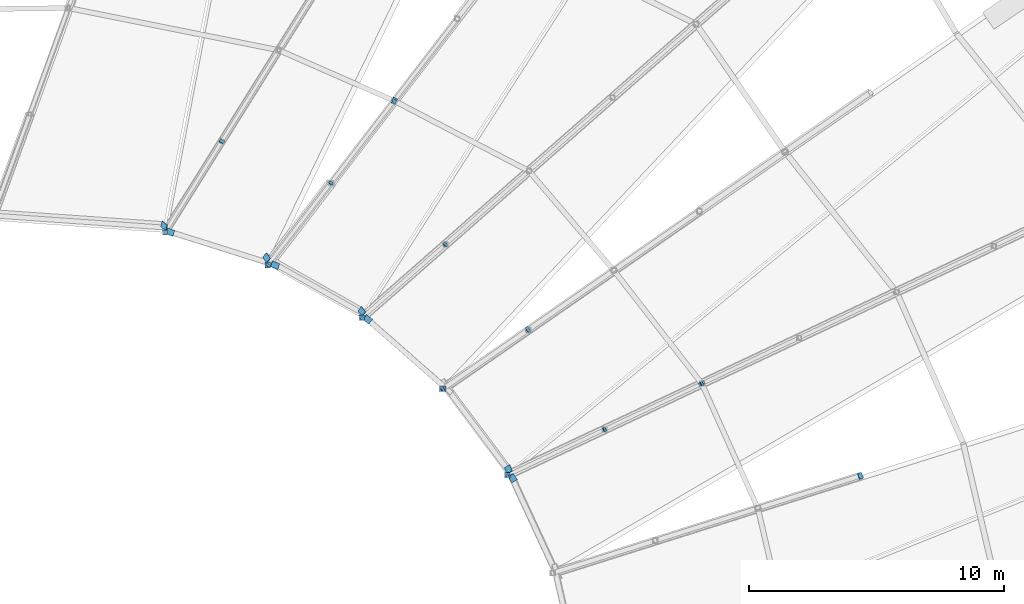
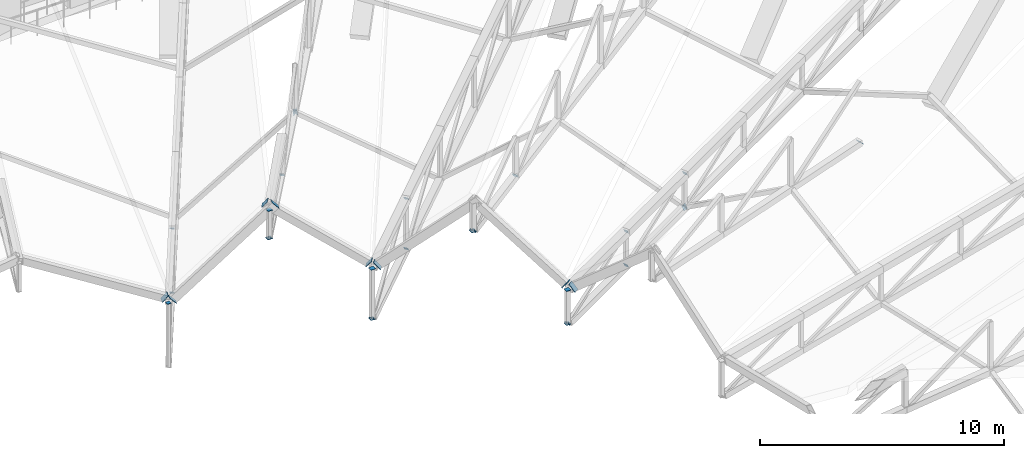
# One storey, part 331 of 344: 35 discrete accessories.
"""IFC4 building model written with IfcOpenShell, lengths in metres."""

from ifc_helpers import new_model, si_unit, direction, frame, origin, origin_2d, place, context, subcontext, project, spatial, rectangle, extrude, material, material_profile, profile_set, type_object, element, save


model = new_model("IFC4")

# Units and contexts
model_context = context("Model", 3, precision=1e-05, world=origin(), true_north=direction((0.0, 1.0)))
body_context = subcontext(model_context, "Body", "Model", "MODEL_VIEW")
ifc_project = project(units=[si_unit("LENGTHUNIT", "METRE"), si_unit("AREAUNIT", "SQUARE_METRE"), si_unit("VOLUMEUNIT", "CUBIC_METRE"), si_unit("PLANEANGLEUNIT", "RADIAN"), si_unit("MASSUNIT", "GRAM", prefix="KILO")], contexts=[model_context])

# Site, building, storey
site_placement = place(None, origin())
site = spatial("IfcSite", under=ifc_project, at=site_placement, CompositionType="ELEMENT")
building_placement = place(site_placement, origin())
building = spatial("IfcBuilding", under=site, at=building_placement, Name="Meseta Stadium", CompositionType="ELEMENT")
storey_placement = place(building_placement, frame((0.0, 0.0, 24.0)))
storey = spatial("IfcBuildingStorey", under=building, at=storey_placement, Name="L04", CompositionType="ELEMENT", Elevation=24.0)

# Discrete accessories
ifc_material_1 = material(Name="Steel S355", Category="steel")
ifc_material_profile_1 = material_profile(ifc_material_1, rectangle(XDim=0.179931640625, YDim=0.179931640625, at=origin_2d()), Name="PL 180x180")
ifc_profile_set_1 = profile_set([ifc_material_profile_1], Name="Steel S355")
discrete_accessory_type_1 = type_object("IfcDiscreteAccessoryType", Name="End plate 180x180x20", PredefinedType="ANCHORPLATE", material=ifc_profile_set_1)
for number, where, z_axis, x_axis, name in (
    (1, (44.092041015625, 55.5732421875, 2.394287109375), (0.802672654344, 0.377012913404, 0.462144861592), (-0.425136471467, 0.905129261834, 0.0), "End plate of ROOF TRUSS RT-11 diagonal"),
    (2, (47.92333984375, 57.378173828125, 4.570068359375), (0.807162077407, 0.379121581812, 0.452499952486), (-0.425136471467, 0.905129261834, 0.0), "End plate of ROOF TRUSS RT-11 diagonal"),
    (3, (47.9072265625, 57.37060546875, 2.881103515625), (0.802672654344, 0.377012913404, 0.462144861592), (-0.425136471467, 0.905129261834, 0.0), "End plate of ROOF TRUSS RT-11 diagonal"),
    (4, (51.738525390625, 59.17529296875, 5.056884765625), (0.807162077407, 0.379121581812, 0.452499952486), (-0.425136471467, 0.905129261834, 0.0), "End plate of ROOF TRUSS RT-11 diagonal"),
    (5, (51.722412109375, 59.167724609375, 3.3681640625), (0.807162077407, 0.379121581812, 0.452499952486), (-0.425136471467, 0.905129261834, 0.0), "End plate of ROOF TRUSS RT-11 diagonal"),
    (6, (38.393798828125, 61.741455078125, 0.895751953125), (0.620936240212, 0.535709697438, 0.572235358627), (-0.653233256547, 0.757156729179, 0.0), "End plate of ROOF TRUSS RT-13 diagonal"),
    (7, (41.68310546875, 64.63232421875, 4.00439453125), (0.613369973061, 0.539765576293, 0.576567774677), (-0.660627894892, 0.750713516923, 0.0), "End plate of ROOF TRUSS RT-13 diagonal"),
    (8, (41.6708984375, 64.62158203125, 1.4990234375), (0.609031921418, 0.535948090848, 0.584670644561), (-0.660627894892, 0.750713516923, 0.0), "End plate of ROOF TRUSS RT-13 diagonal"),
    (9, (34.711669921875, 63.8134765625, 4.968994140625), (0.537305024666, 0.6960542365, 0.4762476355), (-0.791590320973, 0.611052177593, 0.0), "End plate of ROOF TRUSS RT-14 diagonal"),
    (10, (37.1875, 67.033203125, 5.3017578125), (0.500409485234, 0.659075907382, 0.561435032214), (-0.79644631635, 0.604709240191, 0.0), "End plate of ROOF TRUSS RT-14 diagonal"),
):
    element("IfcDiscreteAccessory", number, at=place(storey_placement, frame(where, z_axis=z_axis, x_axis=x_axis)), inside=storey, type_object=discrete_accessory_type_1, Name=name, PredefinedType="ANCHORPLATE", context=body_context, shape_type="SweptSolid", body=[
        extrude(rectangle(XDim=0.179931640625, YDim=0.179931640625, at=origin_2d()), origin(), (0.0, 0.0, 1.0), 0.02001953125),
    ])
discrete_accessory_1_placement = place(storey_placement, frame((39.6630859375, 70.2529296875, 5.634765625), z_axis=(0.472042894851, 0.617286862498, 0.629390526468), x_axis=(-0.794357832977, 0.607450107571, 0.0)))
element("IfcDiscreteAccessory", 11, at=discrete_accessory_1_placement, inside=storey, type_object=discrete_accessory_type_1, Name="End plate of ROOF TRUSS RT-14 diagonal", PredefinedType="ANCHORPLATE", context=body_context, shape_type="SweptSolid", body=[
    extrude(rectangle(XDim=0.179931640625, YDim=0.179931640625, at=origin_2d()), origin(), (0.0, 0.0, 1.0), 0.020263671875),
])
for number, where, z_axis, x_axis, name in (
    (12, (30.68212890625, 65.100341796875, 2.346923828125), (0.0, 0.0, 1.0), (1.0, 0.0, 0.0), "End plate of ROOF TRUSS RT-15 post"),
    (13, (32.91796875, 68.675537109375, 3.125732421875), (0.392114465117, 0.612678851745, 0.686200313954), (-0.842271400662, 0.539053696423, 0.0), "End plate of ROOF TRUSS RT-15 diagonal"),
):
    element("IfcDiscreteAccessory", number, at=place(storey_placement, frame(where, z_axis=z_axis, x_axis=x_axis)), inside=storey, type_object=discrete_accessory_type_1, Name=name, PredefinedType="ANCHORPLATE", context=body_context, shape_type="SweptSolid", body=[
        extrude(rectangle(XDim=0.179931640625, YDim=0.179931640625, at=origin_2d()), origin(), (0.0, 0.0, 1.0), 0.02001953125),
    ])
discrete_accessory_2_placement = place(storey_placement, frame((32.91015625, 68.6630859375, -0.088134765625), z_axis=(0.385962592087, 0.615127881139, 0.687495867155), x_axis=(-0.847063894508, 0.531491071064, 0.0)))
element("IfcDiscreteAccessory", 14, at=discrete_accessory_2_placement, inside=storey, type_object=discrete_accessory_type_1, Name="End plate of ROOF TRUSS RT-15 diagonal", PredefinedType="ANCHORPLATE", context=body_context, shape_type="SweptSolid", body=[
    extrude(rectangle(XDim=0.179931640625, YDim=0.179931640625, at=origin_2d()), origin(), (0.0, 0.0, 1.0), 0.020263671875),
])
ifc_material_2 = material(Name="Steel S355", Category="steel")
ifc_material_profile_2 = material_profile(ifc_material_2, rectangle(XDim=0.219970703125, YDim=0.219970703125, at=origin_2d()), Name="PL 220x220")
ifc_profile_set_2 = profile_set([ifc_material_profile_2], Name="Steel S355")
discrete_accessory_type_2 = type_object("IfcDiscreteAccessoryType", Name="End plate 220x220x20", PredefinedType="ANCHORPLATE", material=ifc_profile_set_2)
for number, where, z_axis, x_axis, name in (
    (15, (44.108154296875, 55.580810546875, 2.383544921875), (0.0, 0.0, 1.0), (1.0, 0.0, 0.0), "End plate of ROOF TRUSS RT-11 post"),
    (16, (44.108154296875, 55.580810546875, 4.0830078125), (0.0, 0.0, 1.0), (1.0, 0.0, 0.0), "End plate of ROOF TRUSS RT-11 post"),
    (17, (41.56494140625, 58.95361328125, 5.8798828125), (0.73165291302, 0.499962823897, 0.463380178246), (-0.564190505026, 0.825644641501, 0.0), "End plate of ROOF TRUSS RT-12 diagonal"),
    (18, (44.9208984375, 61.279052734375, 6.05712890625), (0.685069750249, 0.477102147495, 0.550502477878), (-0.57149375376, 0.820606415655, 0.0), "End plate of ROOF TRUSS RT-12 diagonal"),
):
    element("IfcDiscreteAccessory", number, at=place(storey_placement, frame(where, z_axis=z_axis, x_axis=x_axis)), inside=storey, type_object=discrete_accessory_type_2, Name=name, PredefinedType="ANCHORPLATE", context=body_context, shape_type="SweptSolid", body=[
        extrude(rectangle(XDim=0.219970703125, YDim=0.219970703125, at=origin_2d()), origin(), (0.0, 0.0, 1.0), 0.02001953125),
    ])
discrete_accessory_3_placement = place(storey_placement, frame((38.40625, 61.752197265625, 0.887451171875), z_axis=(0.0, 0.0, 1.0), x_axis=(1.0, 0.0, 0.0)))
element("IfcDiscreteAccessory", 19, at=discrete_accessory_3_placement, inside=storey, type_object=discrete_accessory_type_2, Name="End plate of ROOF TRUSS RT-13 post", PredefinedType="ANCHORPLATE", context=body_context, shape_type="SweptSolid", body=[
    extrude(rectangle(XDim=0.219970703125, YDim=0.219970703125, at=origin_2d()), origin(), (0.0, 0.0, 1.0), 0.019775390625),
])
for number, where, z_axis, x_axis, name in (
    (20, (38.40625, 61.752197265625, 3.40087890625), (0.0, 0.0, 1.0), (1.0, 0.0, 0.0), "End plate of ROOF TRUSS RT-13 post"),
    (21, (34.722412109375, 63.827392578125, 4.95849609375), (0.0, 0.0, 1.0), (1.0, 0.0, 0.0), "End plate of ROOF TRUSS RT-14 post"),
    (22, (34.722412109375, 63.827392578125, 6.37841796875), (0.0, 0.0, 1.0), (1.0, 0.0, 0.0), "End plate of ROOF TRUSS RT-14 post"),
):
    element("IfcDiscreteAccessory", number, at=place(storey_placement, frame(where, z_axis=z_axis, x_axis=x_axis)), inside=storey, type_object=discrete_accessory_type_2, Name=name, PredefinedType="ANCHORPLATE", context=body_context, shape_type="SweptSolid", body=[
        extrude(rectangle(XDim=0.219970703125, YDim=0.219970703125, at=origin_2d()), origin(), (0.0, 0.0, 1.0), 0.02001953125),
    ])
ifc_material_3 = material(Name="Steel S355", Category="steel")
ifc_material_profile_3 = material_profile(ifc_material_3, rectangle(XDim=0.239990234375, YDim=0.239990234375, at=origin_2d()), Name="PL 240x240")
ifc_profile_set_3 = profile_set([ifc_material_profile_3], Name="Steel S355")
discrete_accessory_type_3 = type_object("IfcDiscreteAccessoryType", Name="End plate 240x240x20", PredefinedType="ANCHORPLATE", material=ifc_profile_set_3)
discrete_accessory_4_placement = place(storey_placement, frame((57.947998046875, 55.55859375, 6.6484375), z_axis=(0.711723414214, 0.233150773622, 0.66263904082), x_axis=(-0.311308129797, 0.950309027802, 0.0)))
element("IfcDiscreteAccessory", 23, at=discrete_accessory_4_placement, inside=storey, type_object=discrete_accessory_type_3, Name="End plate of ROOF TRUSS RT-10 diagonal", PredefinedType="ANCHORPLATE", context=body_context, shape_type="SweptSolid", body=[
    extrude(rectangle(XDim=0.239990234375, YDim=0.239990234375, at=origin_2d()), origin(), (0.0, 0.0, 1.0), 0.019775390625),
])
discrete_accessory_5_placement = place(storey_placement, frame((41.57958984375, 58.963623046875, 5.869140625), z_axis=(0.0, 0.0, 1.0), x_axis=(1.0, 0.0, 0.0)))
element("IfcDiscreteAccessory", 24, at=discrete_accessory_5_placement, inside=storey, type_object=discrete_accessory_type_3, Name="End plate of ROOF TRUSS RT-12 post", PredefinedType="ANCHORPLATE", context=body_context, shape_type="SweptSolid", body=[
    extrude(rectangle(XDim=0.239990234375, YDim=0.239990234375, at=origin_2d()), origin(), (0.0, 0.0, 1.0), 0.02001953125),
])
discrete_accessory_6_placement = place(storey_placement, frame((51.738525390625, 59.17529296875, 3.377197265625), z_axis=(-0.350903456416, 0.786507747139, -0.508205005844), x_axis=(-0.913231249272, -0.407441634291, 0.0)))
element("IfcDiscreteAccessory", 25, at=discrete_accessory_6_placement, inside=storey, type_object=discrete_accessory_type_3, Name="End plate of ROOF TRUSS STRUT RT-10/11", PredefinedType="ANCHORPLATE", context=body_context, shape_type="SweptSolid", body=[
    extrude(rectangle(XDim=0.239990234375, YDim=0.239990234375, at=origin_2d()), origin(), (0.0, 0.0, 1.0), 0.020263671875),
])
for number, where, z_axis, x_axis, name in (
    (26, (39.672607421875, 70.265380859375, 5.6474609375), (-0.771165244667, 0.391702981418, 0.501869444942), (-0.452865456809, -0.891578868093, 0.0), "End plate of ROOF TRUSS STRUT RT-13/14"),
    (27, (39.685546875, 70.259765625, 5.66162109375), (-0.647401435218, 0.280947792642, -0.708477042315), (-0.398093118023, -0.917345011096, 0.0), "End plate of ROOF TRUSS STRUT RT-14/15"),
):
    element("IfcDiscreteAccessory", number, at=place(storey_placement, frame(where, z_axis=z_axis, x_axis=x_axis)), inside=storey, type_object=discrete_accessory_type_3, Name=name, PredefinedType="ANCHORPLATE", context=body_context, shape_type="SweptSolid", body=[
        extrude(rectangle(XDim=0.239990234375, YDim=0.239990234375, at=origin_2d()), origin(), (0.0, 0.0, 1.0), 0.02001953125),
    ])
ifc_material_4 = material(Name="Steel S355", Category="steel")
ifc_material_profile_4 = material_profile(ifc_material_4, rectangle(XDim=0.239990234375, YDim=0.43994140625, at=origin_2d()), Name="PL 240x440")
ifc_profile_set_4 = profile_set([ifc_material_profile_4], Name="Steel S355")
discrete_accessory_type_4 = type_object("IfcDiscreteAccessoryType", Name="End plate 240x440x20", PredefinedType="ANCHORPLATE", material=ifc_profile_set_4)
discrete_accessory_7_placement = place(storey_placement, frame((44.32177734375, 55.466064453125, 4.2314453125), z_axis=(-0.327736521228, 0.691888211481, -0.64333465278), x_axis=(-0.874589447721, -0.479727845604, -0.070388153037)))
element("IfcDiscreteAccessory", 28, at=discrete_accessory_7_placement, inside=storey, type_object=discrete_accessory_type_4, Name="End plate of TIP RING BEAM 11", PredefinedType="ANCHORPLATE", context=body_context, shape_type="SweptSolid", body=[
    extrude(rectangle(XDim=0.239990234375, YDim=0.43994140625, at=origin_2d()), origin(), (0.0, 0.0, 1.0), 0.02001953125),
])
discrete_accessory_8_placement = place(storey_placement, frame((44.16259765625, 55.8046875, 4.22021484375), z_axis=(-0.48471497294, 0.642247339146, 0.593775841852), x_axis=(-0.844613562705, -0.52011879581, -0.126902986332)))
element("IfcDiscreteAccessory", 29, at=discrete_accessory_8_placement, inside=storey, type_object=discrete_accessory_type_4, Name="End plate of TIP RING BEAM 12", PredefinedType="ANCHORPLATE", context=body_context, shape_type="SweptSolid", body=[
    extrude(rectangle(XDim=0.239990234375, YDim=0.43994140625, at=origin_2d()), origin(), (0.0, 0.0, 1.0), 0.020263671875),
])
for number, where, z_axis, x_axis, name in (
    (30, (38.635986328125, 61.694580078125, 3.56005859375), (-0.560267806352, 0.487189396828, -0.669885420638), (-0.647684893802, -0.761808338824, -0.012342335237), "End plate of TIP RING BEAM 13"),
    (31, (38.4150390625, 61.9990234375, 3.55859375), (-0.710600779219, 0.404307339901, 0.575831665919), (-0.602068708995, -0.772913595246, -0.200294393162), "End plate of TIP RING BEAM 14"),
    (32, (34.685302734375, 64.10009765625, 6.56298828125), (-0.710600779219, 0.404307339901, 0.575831665919), (-0.602068708995, -0.772913595246, -0.200294393162), "End plate of TIP RING BEAM 14"),
    (33, (35.0087890625, 63.820556640625, 6.574951171875), (-0.695898595108, 0.219757451087, -0.683689847825), (-0.327476356616, -0.944390266228, 0.029770134554), "End plate of TIP RING BEAM 15"),
    (34, (30.89306640625, 65.1171875, 2.46044921875), (-0.683689847825, 0.219757451087, -0.695898595108), (-0.332780912793, -0.942549007814, 0.029295596066), "End plate of TIP RING BEAM 15"),
    (35, (30.66455078125, 65.3642578125, 2.481201171875), (-0.855888994553, 0.061134928182, 0.513533396732), (-0.239049985448, -0.927306782404, -0.288022977842), "End plate of TIP RING BEAM 16"),
):
    element("IfcDiscreteAccessory", number, at=place(storey_placement, frame(where, z_axis=z_axis, x_axis=x_axis)), inside=storey, type_object=discrete_accessory_type_4, Name=name, PredefinedType="ANCHORPLATE", context=body_context, shape_type="SweptSolid", body=[
        extrude(rectangle(XDim=0.239990234375, YDim=0.43994140625, at=origin_2d()), origin(), (0.0, 0.0, 1.0), 0.02001953125),
    ])

save(model, "model.ifc")
